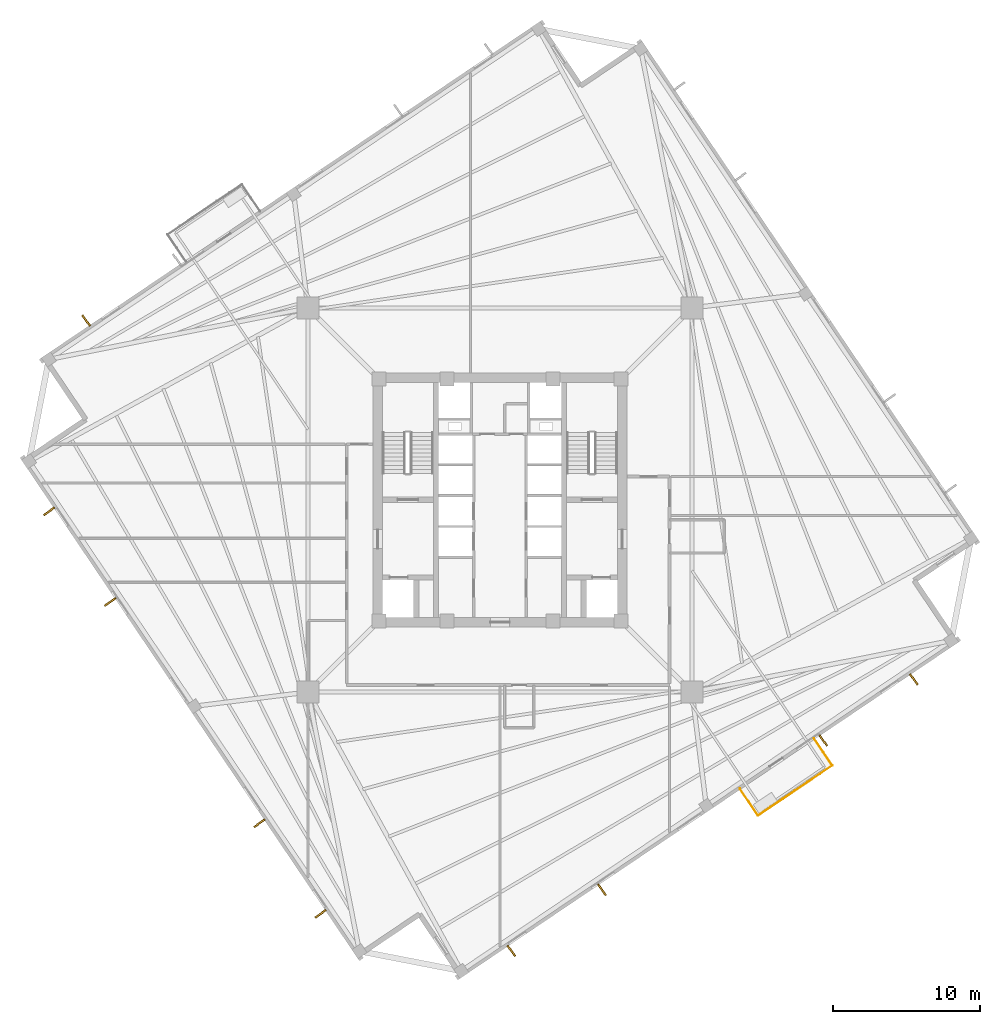
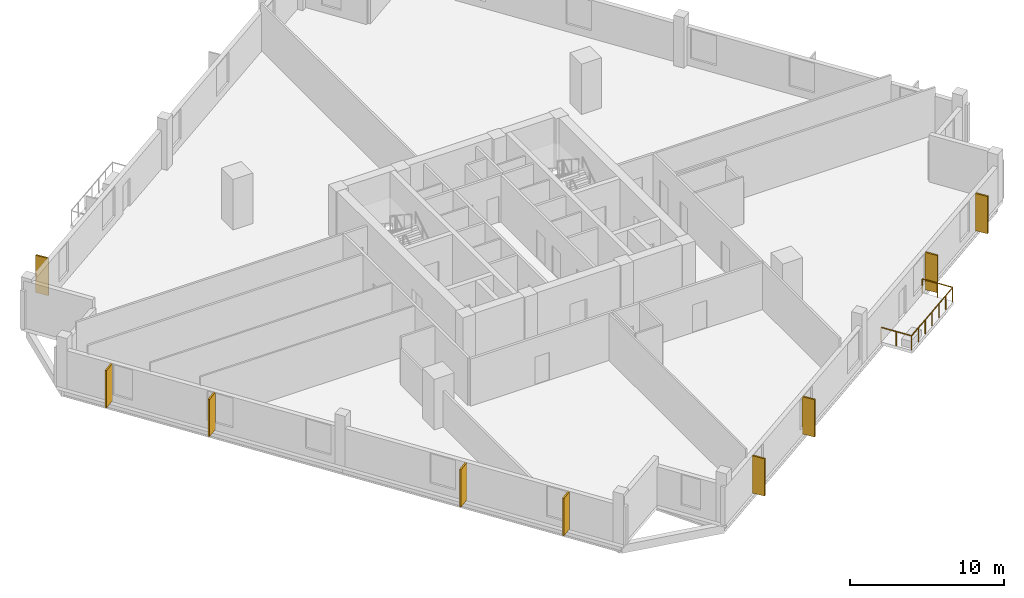
# One storey, part 6 of 8: 9 coverings, 3 railings.
"""IFC4 building model written with IfcOpenShell, lengths in metres."""

from ifc_helpers import new_model, si_unit, direction, frame, origin, origin_2d, place, context, subcontext, project, spatial, rectangle, circle, extrude, source, transform, mapped, material, layer, layer_set, type_object, element, save


model = new_model("IFC4")

# Units and contexts
model_context = context("Model", 3, precision=1e-05, world=origin(), true_north=direction((0.0, 1.0)))
body_context = subcontext(model_context, "Body", "Model", "MODEL_VIEW")
ifc_project = project(units=[si_unit("LENGTHUNIT", "METRE"), si_unit("AREAUNIT", "SQUARE_METRE"), si_unit("VOLUMEUNIT", "CUBIC_METRE"), si_unit("PLANEANGLEUNIT", "RADIAN"), si_unit("MASSUNIT", "GRAM", prefix="KILO"), si_unit("THERMODYNAMICTEMPERATUREUNIT", "KELVIN")], contexts=[model_context])

# Site, building, storey
site_placement = place(None, origin())
site = spatial("IfcSite", under=ifc_project, at=site_placement, CompositionType="ELEMENT")
building_placement = place(site_placement, origin())
building = spatial("IfcBuilding", under=site, at=building_placement, Name="Kosmvard Interchange Tower", CompositionType="ELEMENT")
storey_placement = place(building_placement, frame((0.0, 0.0, 184.39990234375)))
storey = spatial("IfcBuildingStorey", under=building, at=storey_placement, Name="L44", CompositionType="ELEMENT", Elevation=184.39990234375)

# Coverings
ifc_material_1 = material(Name="Architectural anodised aluminium", Category="aluminium")
ifc_layer = layer(ifc_material_1, 0.1201171875, Name="Architectural anodised aluminium")
ifc_layer_set = layer_set([ifc_layer], Name="Architectural anodised aluminium")
covering_type = type_object("IfcCoveringType", Name="Rotating Vertical Sun-Breaker Fin 900x120 Aluminium", PredefinedType="CLADDING", material=ifc_layer_set)
shared_shape_1 = source(origin(), body_context, "Body", "SweptSolid", [
    extrude(rectangle(XDim=0.89990234375, YDim=0.1201171875, at=origin_2d()), origin(), (0.0, 0.0, 1.0), 2.9599609375),
])
for number, where, z_axis, x_axis, name in (
    (1, (0.774169921875, -30.718994140625, 0.0400390625), (0.0, 0.0, 1.0), (0.581839108989, -0.813303910756, 0.0), "L44 Rotating Vertical Sun-Breaker Fin 01"),
    (2, (6.943115234375, -26.557861328125, 0.0400390625), (0.0, 0.0, 1.0), (0.581839108989, -0.813303910756, 0.0), "L44 Rotating Vertical Sun-Breaker Fin 02"),
    (3, (22.02294921875, -16.38623046875, 0.0400390625), (0.0, 0.0, 1.0), (0.581839108989, -0.813303910756, 0.0), "L44 Rotating Vertical Sun-Breaker Fin 03"),
    (4, (28.192138671875, -12.225341796875, 0.0400390625), (0.0, 0.0, 1.0), (0.581839108989, -0.813303910756, 0.0), "L44 Rotating Vertical Sun-Breaker Fin 04"),
    (5, (-28.192138671875, 12.225341796875, 0.0400390625), (0.0, 0.0, 1.0), (-0.581839108989, 0.813303910756, 0.0), "L44 Rotating Vertical Sun-Breaker Fin 12"),
    (6, (-30.718994140625, -0.774169921875, 0.0400390625), (0.0, 0.0, 1.0), (-0.813303910756, -0.581839108989, 0.0), "L44 Rotating Vertical Sun-Breaker Fin 13"),
    (7, (-26.557861328125, -6.943115234375, 0.0400390625), (0.0, 0.0, 1.0), (-0.813303910756, -0.581839108989, 0.0), "L44 Rotating Vertical Sun-Breaker Fin 14"),
    (8, (-16.38623046875, -22.02294921875, 0.0400390625), (0.0, 0.0, 1.0), (-0.813303910756, -0.581839108989, 0.0), "L44 Rotating Vertical Sun-Breaker Fin 15"),
    (9, (-12.225341796875, -28.192138671875, 0.0400390625), (0.0, 0.0, 1.0), (-0.813303910756, -0.581839108989, 0.0), "L44 Rotating Vertical Sun-Breaker Fin 16"),
):
    element("IfcCovering", number, at=place(storey_placement, frame(where, z_axis=z_axis, x_axis=x_axis)), inside=storey, type_object=covering_type, Name=name, PredefinedType="CLADDING", context=body_context, shape_type="MappedRepresentation", body=[
        mapped(shared_shape_1, transform((0.0, 0.0, 0.0), scale=1.0)),
    ])

# Railings
ifc_material_2 = material(Name="Steel S355", Category="steel")
railing_type = type_object("IfcRailingType", Name="Observation & Balcony Glass-Infill Balustrade 1150", PredefinedType="BALUSTRADE", material=ifc_material_2)
shared_shape_2 = source(origin(), body_context, "Body", "SweptSolid", [
    extrude(circle(Radius=0.02392578125, at=origin_2d()), frame((0.0, 0.0, 1.1259765625), z_axis=(0.559173597279, -0.829050594418, 0.0), x_axis=(0.829050594418, 0.559173597279, 0.0)), (0.0, 0.0, 1.0), 2.2001953125),
    extrude(circle(Radius=0.02099609375, at=origin_2d()), origin(), (0.0, 0.0, 1.0), 1.101806640625),
    extrude(circle(Radius=0.02099609375, at=origin_2d()), frame((0.615234375, -0.912109375, 0.0)), (0.0, 0.0, 1.0), 1.101806640625),
    extrude(circle(Radius=0.02099609375, at=origin_2d()), frame((1.230224609375, -1.823974609375, 0.0)), (0.0, 0.0, 1.0), 1.101806640625),
])
railing_1_placement = place(storey_placement, frame((16.345458984375, -19.673095703125, 0.0)))
element("IfcRailing", 10, at=railing_1_placement, inside=storey, type_object=railing_type, Name="L44 Outdoor Terrace Guard BAL-L44-SW-A", PredefinedType="BALUSTRADE", context=body_context, shape_type="MappedRepresentation", body=[
    mapped(shared_shape_2, transform((0.0, 0.0, 0.0), scale=1.0)),
])
shared_shape_3 = source(origin(), body_context, "Body", "SweptSolid", [
    extrude(circle(Radius=0.02392578125, at=origin_2d()), frame((0.0, 0.0, 1.1259765625), z_axis=(0.829033294248, 0.55919924627, 0.0), x_axis=(-0.55919924627, 0.829033294248, 0.0)), (0.0, 0.0, 1.0), 6.10009765625),
    extrude(circle(Radius=0.02099609375, at=origin_2d()), origin(), (0.0, 0.0, 1.0), 1.101806640625),
    extrude(circle(Radius=0.02099609375, at=origin_2d()), frame((0.8427734375, 0.568603515625, 0.0)), (0.0, 0.0, 1.0), 1.101806640625),
    extrude(circle(Radius=0.02099609375, at=origin_2d()), frame((1.685791015625, 1.136962890625, 0.0)), (0.0, 0.0, 1.0), 1.101806640625),
    extrude(circle(Radius=0.02099609375, at=origin_2d()), frame((2.528564453125, 1.70556640625, 0.0)), (0.0, 0.0, 1.0), 1.101806640625),
    extrude(circle(Radius=0.02099609375, at=origin_2d()), frame((3.371337890625, 2.274169921875, 0.0)), (0.0, 0.0, 1.0), 1.101806640625),
    extrude(circle(Radius=0.02099609375, at=origin_2d()), frame((4.21435546875, 2.842529296875, 0.0)), (0.0, 0.0, 1.0), 1.101806640625),
    extrude(circle(Radius=0.02099609375, at=origin_2d()), frame((5.05712890625, 3.4111328125, 0.0)), (0.0, 0.0, 1.0), 1.101806640625),
])
railing_2_placement = place(storey_placement, frame((17.57568359375, -21.4970703125, 0.0)))
element("IfcRailing", 11, at=railing_2_placement, inside=storey, type_object=railing_type, Name="L44 Outdoor Terrace Guard BAL-L44-SW-B", PredefinedType="BALUSTRADE", context=body_context, shape_type="MappedRepresentation", body=[
    mapped(shared_shape_3, transform((0.0, 0.0, 0.0), scale=1.0)),
])
shared_shape_4 = source(origin(), body_context, "Body", "SweptSolid", [
    extrude(circle(Radius=0.02392578125, at=origin_2d()), frame((0.0, 0.0, 1.1259765625), z_axis=(-0.559173597279, 0.829050594418, 0.0), x_axis=(-0.829050594418, -0.559173597279, 0.0)), (0.0, 0.0, 1.0), 2.2001953125),
    extrude(circle(Radius=0.02099609375, at=origin_2d()), origin(), (0.0, 0.0, 1.0), 1.101806640625),
    extrude(circle(Radius=0.02099609375, at=origin_2d()), frame((-0.615234375, 0.912109375, 0.0)), (0.0, 0.0, 1.0), 1.101806640625),
    extrude(circle(Radius=0.02099609375, at=origin_2d()), frame((-1.230224609375, 1.823974609375, 0.0)), (0.0, 0.0, 1.0), 1.101806640625),
])
railing_3_placement = place(storey_placement, frame((22.6328125, -18.0859375, 0.0)))
element("IfcRailing", 12, at=railing_3_placement, inside=storey, type_object=railing_type, Name="L44 Outdoor Terrace Guard BAL-L44-SW-C", PredefinedType="BALUSTRADE", context=body_context, shape_type="MappedRepresentation", body=[
    mapped(shared_shape_4, transform((0.0, 0.0, 0.0), scale=1.0)),
])

save(model, "model.ifc")
